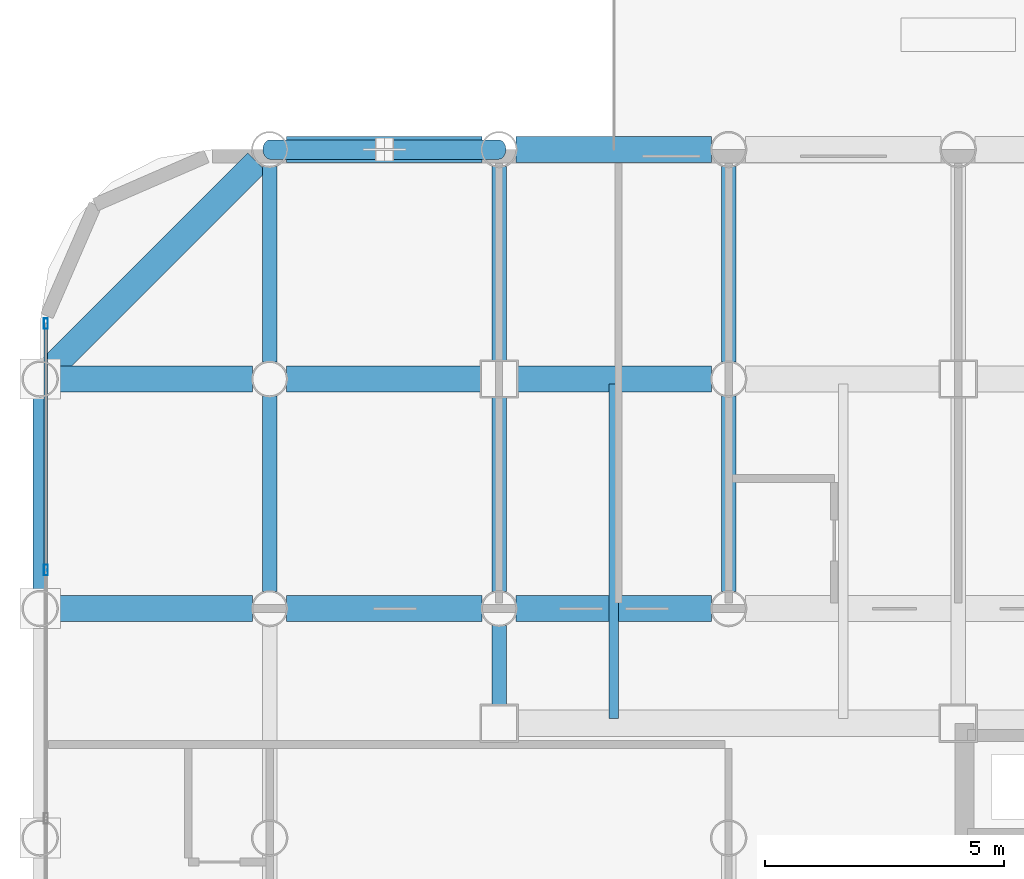
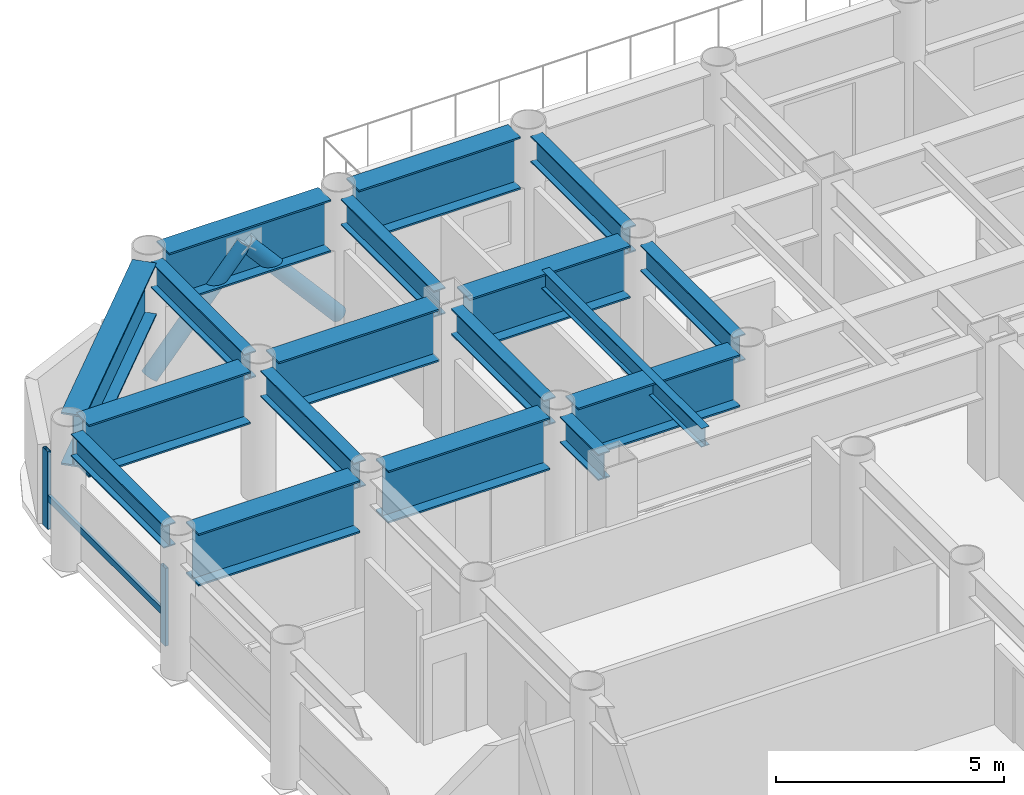
# One storey, part 9 of 24: 18 beams, 5 members, 1 element without a shape of its own.
"""IFC4 building model written with IfcOpenShell, lengths in metres."""

from ifc_helpers import new_model, si_unit, direction, frame, origin, origin_2d, place, context, subcontext, project, spatial, hollow_rectangle, hollow_circle, i_section, extrude, material, layer, layer_set, material_profile, profile_set, type_object, element, aggregate, save


model = new_model("IFC4")

# Units and contexts
model_context = context("Model", 3, precision=1e-05, world=origin(), true_north=direction((0.0, 1.0)))
body_context = subcontext(model_context, "Body", "Model", "MODEL_VIEW")
ifc_project = project(units=[si_unit("LENGTHUNIT", "METRE"), si_unit("AREAUNIT", "SQUARE_METRE"), si_unit("VOLUMEUNIT", "CUBIC_METRE"), si_unit("PLANEANGLEUNIT", "RADIAN"), si_unit("MASSUNIT", "GRAM", prefix="KILO")], contexts=[model_context])

# Site, building, storey
site_placement = place(None, origin())
site = spatial("IfcSite", under=ifc_project, at=site_placement, CompositionType="ELEMENT")
building_placement = place(site_placement, origin())
building = spatial("IfcBuilding", under=site, at=building_placement, Name="Kallvorn Hotel Tower", CompositionType="ELEMENT")
storey_placement = place(building_placement, frame((0.0, 0.0, 30.0)))
storey = spatial("IfcBuildingStorey", under=building, at=storey_placement, Name="L05", CompositionType="ELEMENT", Elevation=30.0)

# Beams
ifc_material_1 = material(Name="Structural steel S355JR", Category="steel")
ifc_material_profile_1 = material_profile(ifc_material_1, i_section(OverallWidth=0.300048828125, OverallDepth=0.60009765625, WebThickness=0.015380859375, FlangeThickness=0.030029296875, at=origin_2d()), Name="HE 600 B")
ifc_profile_set_1 = profile_set([ifc_material_profile_1], Name="Structural steel S355JR")
beam_type_1 = type_object("IfcBeamType", Name="BM_HE600B", PredefinedType="SPANDREL", material=ifc_profile_set_1)
beam_1_placement = place(storey_placement, frame((-33.60009765625, 9.970947265625, 3.219970703125), z_axis=(0.0, 1.0, 0.0), x_axis=(-1.0, 0.0, 0.0)))
element("IfcBeam", 1, at=beam_1_placement, inside=storey, type_object=beam_type_1, Name="L06 Perimeter Spandrel 180", PredefinedType="SPANDREL", context=body_context, shape_type="SweptSolid", body=[
    extrude(i_section(OverallWidth=0.300048828125, OverallDepth=0.60009765625, WebThickness=0.015380859375, FlangeThickness=0.030029296875, at=origin_2d()), origin(), (0.0, 0.0, 1.0), 4.05810546875),
])
ifc_material_2 = material(Name="Structural steel S355JR", Category="steel")
ifc_material_profile_2 = material_profile(ifc_material_2, i_section(OverallWidth=0.300048828125, OverallDepth=0.699951171875, WebThickness=0.01708984375, FlangeThickness=0.031982421875, at=origin_2d()), Name="HE 700 B")
ifc_profile_set_2 = profile_set([ifc_material_profile_2], Name="Structural steel S355JR")
beam_type_2 = type_object("IfcBeamType", Name="BM_HE700B", PredefinedType="BEAM", material=ifc_profile_set_2)
for number, where, z_axis, x_axis, name in (
    (2, (-28.800048828125, 9.9560546875, 3.169921875), (0.0, 1.0, 0.0), (-1.0, 0.0, 0.0), "L06 Primary Y-Girder 80"),
    (3, (-28.800048828125, 14.756103515625, 3.169921875), (0.0, 1.0, 0.0), (-1.0, 0.0, 0.0), "L06 Primary Y-Girder 81"),
):
    element("IfcBeam", number, at=place(storey_placement, frame(where, z_axis=z_axis, x_axis=x_axis)), inside=storey, type_object=beam_type_2, Name=name, PredefinedType="BEAM", context=body_context, shape_type="SweptSolid", body=[
        extrude(i_section(OverallWidth=0.300048828125, OverallDepth=0.699951171875, WebThickness=0.01708984375, FlangeThickness=0.031982421875, at=origin_2d()), origin(), (0.0, 0.0, 1.0), 4.087890625),
    ])
beam_2_placement = place(storey_placement, frame((-24.0, 7.574951171875, 3.169921875), z_axis=(0.0, 1.0, 0.0), x_axis=(-1.0, 0.0, 0.0)))
element("IfcBeam", 4, at=beam_2_placement, inside=storey, type_object=beam_type_2, Name="L06 Primary Y-Girder 86", PredefinedType="BEAM", context=body_context, shape_type="SweptSolid", body=[
    extrude(i_section(OverallWidth=0.300048828125, OverallDepth=0.699951171875, WebThickness=0.01708984375, FlangeThickness=0.031982421875, at=origin_2d()), origin(), (0.0, 0.0, 1.0), 1.6689453125),
])
beam_3_placement = place(storey_placement, frame((-24.0, 9.9560546875, 3.169921875), z_axis=(0.0, 1.0, 0.0), x_axis=(-1.0, 0.0, 0.0)))
element("IfcBeam", 5, at=beam_3_placement, inside=storey, type_object=beam_type_2, Name="L06 Primary Y-Girder 87", PredefinedType="BEAM", context=body_context, shape_type="SweptSolid", body=[
    extrude(i_section(OverallWidth=0.300048828125, OverallDepth=0.699951171875, WebThickness=0.01708984375, FlangeThickness=0.031982421875, at=origin_2d()), origin(), (0.0, 0.0, 1.0), 4.06884765625),
])
beam_4_placement = place(storey_placement, frame((-24.0, 14.77490234375, 3.169921875), z_axis=(0.0, 1.0, 0.0), x_axis=(-1.0, 0.0, 0.0)))
element("IfcBeam", 6, at=beam_4_placement, inside=storey, type_object=beam_type_2, Name="L06 Primary Y-Girder 88", PredefinedType="BEAM", context=body_context, shape_type="SweptSolid", body=[
    extrude(i_section(OverallWidth=0.300048828125, OverallDepth=0.699951171875, WebThickness=0.01708984375, FlangeThickness=0.031982421875, at=origin_2d()), origin(), (0.0, 0.0, 1.0), 4.069091796875),
])
for number, where, z_axis, x_axis, name in (
    (7, (-19.199951171875, 9.9560546875, 3.169921875), (0.0, 1.0, 0.0), (-1.0, 0.0, 0.0), "L06 Primary Y-Girder 96"),
    (8, (-19.199951171875, 14.756103515625, 3.169921875), (0.0, 1.0, 0.0), (-1.0, 0.0, 0.0), "L06 Primary Y-Girder 97"),
):
    element("IfcBeam", number, at=place(storey_placement, frame(where, z_axis=z_axis, x_axis=x_axis)), inside=storey, type_object=beam_type_2, Name=name, PredefinedType="BEAM", context=body_context, shape_type="SweptSolid", body=[
        extrude(i_section(OverallWidth=0.300048828125, OverallDepth=0.699951171875, WebThickness=0.01708984375, FlangeThickness=0.031982421875, at=origin_2d()), origin(), (0.0, 0.0, 1.0), 4.087890625),
    ])
ifc_material_3 = material(Name="Structural steel S355JR", Category="steel")
ifc_material_profile_3 = material_profile(ifc_material_3, i_section(OverallWidth=0.199951171875, OverallDepth=0.5, WebThickness=0.01025390625, FlangeThickness=0.01611328125, at=origin_2d()), Name="IPE 500")
ifc_profile_set_3 = profile_set([ifc_material_profile_3], Name="Structural steel S355JR")
beam_type_3 = type_object("IfcBeamType", Name="BM_IPE500", PredefinedType="JOIST", material=ifc_profile_set_3)
beam_5_placement = place(storey_placement, frame((-21.60009765625, 7.300048828125, 3.27001953125), z_axis=(0.0, 1.0, 0.0), x_axis=(-1.0, 0.0, 0.0)))
element("IfcBeam", 9, at=beam_5_placement, inside=storey, type_object=beam_type_3, Name="L06 Secondary Composite Joist 193", PredefinedType="JOIST", context=body_context, shape_type="SweptSolid", body=[
    extrude(i_section(OverallWidth=0.199951171875, OverallDepth=0.5, WebThickness=0.01025390625, FlangeThickness=0.01611328125, at=origin_2d()), origin(), (0.0, 0.0, 1.0), 7.0),
])
ifc_material_4 = material(Name="Structural steel S355JR", Category="steel")
ifc_material_profile_4 = material_profile(ifc_material_4, i_section(OverallWidth=0.550048828125, OverallDepth=1.39990234375, WebThickness=0.02490234375, FlangeThickness=0.044921875, at=origin_2d()), Name="PG 1400x550x25x45")
ifc_profile_set_4 = profile_set([ifc_material_profile_4], Name="Structural steel S355JR")
beam_type_4 = type_object("IfcBeamType", Name="BM_PG_1400", PredefinedType="BEAM", material=ifc_profile_set_4)
beam_6_placement = place(storey_placement, frame((-33.243896484375, 9.60009765625, 2.820068359375), z_axis=(1.0, 0.0, 0.0), x_axis=(0.0, 1.0, 0.0)))
element("IfcBeam", 10, at=beam_6_placement, inside=storey, type_object=beam_type_4, Name="L06 Primary X-Girder 42", PredefinedType="BEAM", context=body_context, shape_type="SweptSolid", body=[
    extrude(i_section(OverallWidth=0.550048828125, OverallDepth=1.39990234375, WebThickness=0.02490234375, FlangeThickness=0.044921875, at=origin_2d()), origin(), (0.0, 0.0, 1.0), 4.087890625),
])
for number, where, z_axis, x_axis, name in (
    (11, (-28.444091796875, 9.60009765625, 2.820068359375), (1.0, 0.0, 0.0), (0.0, 1.0, 0.0), "L06 Primary X-Girder 43"),
    (12, (-23.64404296875, 9.60009765625, 2.820068359375), (1.0, 0.0, 0.0), (0.0, 1.0, 0.0), "L06 Primary X-Girder 44"),
):
    element("IfcBeam", number, at=place(storey_placement, frame(where, z_axis=z_axis, x_axis=x_axis)), inside=storey, type_object=beam_type_4, Name=name, PredefinedType="BEAM", context=body_context, shape_type="SweptSolid", body=[
        extrude(i_section(OverallWidth=0.550048828125, OverallDepth=1.39990234375, WebThickness=0.02490234375, FlangeThickness=0.044921875, at=origin_2d()), origin(), (0.0, 0.0, 1.0), 4.088134765625),
    ])
beam_7_placement = place(storey_placement, frame((-33.243896484375, 14.39990234375, 2.820068359375), z_axis=(1.0, 0.0, 0.0), x_axis=(0.0, 1.0, 0.0)))
element("IfcBeam", 13, at=beam_7_placement, inside=storey, type_object=beam_type_4, Name="L06 Primary X-Girder 51", PredefinedType="BEAM", context=body_context, shape_type="SweptSolid", body=[
    extrude(i_section(OverallWidth=0.550048828125, OverallDepth=1.39990234375, WebThickness=0.02490234375, FlangeThickness=0.044921875, at=origin_2d()), origin(), (0.0, 0.0, 1.0), 4.087890625),
])
for number, where, z_axis, x_axis, name in (
    (14, (-28.444091796875, 14.39990234375, 2.820068359375), (1.0, 0.0, 0.0), (0.0, 1.0, 0.0), "L06 Primary X-Girder 52"),
    (15, (-23.625, 14.39990234375, 2.820068359375), (1.0, 0.0, 0.0), (0.0, 1.0, 0.0), "L06 Primary X-Girder 53"),
):
    element("IfcBeam", number, at=place(storey_placement, frame(where, z_axis=z_axis, x_axis=x_axis)), inside=storey, type_object=beam_type_4, Name=name, PredefinedType="BEAM", context=body_context, shape_type="SweptSolid", body=[
        extrude(i_section(OverallWidth=0.550048828125, OverallDepth=1.39990234375, WebThickness=0.02490234375, FlangeThickness=0.044921875, at=origin_2d()), origin(), (0.0, 0.0, 1.0), 4.069091796875),
    ])
for number, where, z_axis, x_axis, name in (
    (16, (-28.444091796875, 19.199951171875, 2.820068359375), (1.0, 0.0, 0.0), (0.0, 1.0, 0.0), "L06 Primary X-Girder 61"),
    (17, (-23.64404296875, 19.199951171875, 2.820068359375), (1.0, 0.0, 0.0), (0.0, 1.0, 0.0), "L06 Primary X-Girder 62"),
):
    element("IfcBeam", number, at=place(storey_placement, frame(where, z_axis=z_axis, x_axis=x_axis)), inside=storey, type_object=beam_type_4, Name=name, PredefinedType="BEAM", context=body_context, shape_type="SweptSolid", body=[
        extrude(i_section(OverallWidth=0.550048828125, OverallDepth=1.39990234375, WebThickness=0.02490234375, FlangeThickness=0.044921875, at=origin_2d()), origin(), (0.0, 0.0, 1.0), 4.088134765625),
    ])
beam_8_placement = place(storey_placement, frame((-33.337646484375, 14.662353515625, 2.820068359375), z_axis=(0.707106781187, 0.707106781187, 0.0), x_axis=(-0.707106781187, 0.707106781187, 0.0)))
element("IfcBeam", 18, at=beam_8_placement, inside=storey, type_object=beam_type_4, Name="L06 Rounded Corner Tie Beam 190", PredefinedType="BEAM", context=body_context, shape_type="SweptSolid", body=[
    extrude(i_section(OverallWidth=0.550048828125, OverallDepth=1.39990234375, WebThickness=0.02490234375, FlangeThickness=0.044921875, at=origin_2d()), origin(), (0.0, 0.0, 1.0), 6.04638671875),
])

# Curtain wall, members
ifc_material_5 = material(Name="Thermally broken black-anodised aluminium AA 6063-T6", Category="aluminium")
ifc_layer = layer(ifc_material_5, 0.199951171875)
ifc_layer_set = layer_set([ifc_layer], Name="CW_SYS_3_HOTEL_LOW")
curtain_wall_type = type_object("IfcCurtainWallType", Name="CW_SYS_3_HOTEL_LOW", PredefinedType="USERDEFINED", material=ifc_layer_set)
curtain_wall_placement = place(storey_placement, origin())
curtain_wall = element("IfcCurtainWall", 19, at=curtain_wall_placement, inside=storey, type_object=curtain_wall_type, Name="L05 Dark-Glass Curtain Wall CW-L05-WN", ObjectType="UNITISED CURTAIN WALL", PredefinedType="USERDEFINED")
ifc_material_6 = material(Name="Thermally broken black-anodised aluminium AA 6063-T6", Category="aluminium")
ifc_material_profile_5 = material_profile(ifc_material_6, hollow_rectangle(XDim=0.080078125, YDim=0.219970703125, WallThickness=0.0048828125, at=origin_2d()), Name="MUL 220x80")
ifc_profile_set_5 = profile_set([ifc_material_profile_5], Name="Thermally broken black-anodised aluminium AA 6063-T6")
member_type_1 = type_object("IfcMemberType", Name="CW_MULLION_220x80", PredefinedType="MULLION", material=ifc_profile_set_5)
member_1_placement = place(storey_placement, frame((-33.47998046875, 10.40673828125, 0.02001953125), z_axis=(0.0, 0.0, 1.0), x_axis=(1.0, 0.0, 0.0)))
member_1 = element("IfcMember", 20, at=member_1_placement, type_object=member_type_1, Name="CW-L05-WN Mullion 02", PredefinedType="MULLION", context=body_context, shape_type="SweptSolid", body=[
    extrude(hollow_rectangle(XDim=0.080078125, YDim=0.219970703125, WallThickness=0.0048828125, at=origin_2d()), origin(), (0.0, 0.0, 1.0), 2.080078125),
])
member_2_placement = place(storey_placement, frame((-33.47998046875, 15.56005859375, 0.02001953125), z_axis=(0.0, 0.0, 1.0), x_axis=(1.0, 0.0, 0.0)))
member_2 = element("IfcMember", 21, at=member_2_placement, type_object=member_type_1, Name="CW-L05-WN Mullion 03", PredefinedType="MULLION", context=body_context, shape_type="SweptSolid", body=[
    extrude(hollow_rectangle(XDim=0.080078125, YDim=0.219970703125, WallThickness=0.0048828125, at=origin_2d()), origin(), (0.0, 0.0, 1.0), 2.080078125),
])
ifc_material_7 = material(Name="Thermally broken black-anodised aluminium AA 6063-T6", Category="aluminium")
ifc_material_profile_6 = material_profile(ifc_material_7, hollow_rectangle(XDim=0.070068359375, YDim=0.179931640625, WallThickness=0.00390625, at=origin_2d()), Name="TRN 180x70")
ifc_profile_set_6 = profile_set([ifc_material_profile_6], Name="Thermally broken black-anodised aluminium AA 6063-T6")
member_type_2 = type_object("IfcMemberType", Name="CW_TRANSOM_180x70", PredefinedType="USERDEFINED", material=ifc_profile_set_6)
member_3_placement = place(storey_placement, frame((-33.47998046875, 10.44677734375, 0.85009765625), z_axis=(0.0, 1.0, 0.0), x_axis=(-1.0, 0.0, 0.0)))
member_3 = element("IfcMember", 22, at=member_3_placement, type_object=member_type_2, Name="CW-L05-WN Transom 02M", ObjectType="TRANSOM", PredefinedType="USERDEFINED", context=body_context, shape_type="SweptSolid", body=[
    extrude(hollow_rectangle(XDim=0.070068359375, YDim=0.179931640625, WallThickness=0.00390625, at=origin_2d()), origin(), (0.0, 0.0, 1.0), 5.11328125),
])
aggregate(curtain_wall, [member_1, member_2, member_3])

# Members
ifc_material_8 = material(Name="Structural steel S355J2H", Category="steel")
ifc_material_profile_7 = material_profile(ifc_material_8, hollow_circle(Radius=0.203125, WallThickness=0.01611328125, at=origin_2d()), Name="CHS 406.4x16")
ifc_profile_set_7 = profile_set([ifc_material_profile_7], Name="Structural steel S355J2H")
member_type_3 = type_object("IfcMemberType", Name="MBR_EXO_CHS406", PredefinedType="BRACE", material=ifc_profile_set_7)
for number, where, z_axis, x_axis, name in (
    (23, (-28.786865234375, 19.199951171875, 0.195068359375), (0.65346062529, 0.0, 0.756960508346), (0.0, 1.0, 0.0), "L05 Exoskeleton K-Brace N1A"),
    (24, (-24.01318359375, 19.199951171875, 0.195068359375), (-0.65346062529, 0.0, 0.756960508346), (0.0, -1.0, 0.0), "L05 Exoskeleton K-Brace N1B"),
):
    element("IfcMember", number, at=place(storey_placement, frame(where, z_axis=z_axis, x_axis=x_axis)), inside=storey, type_object=member_type_3, Name=name, PredefinedType="BRACE", context=body_context, shape_type="SweptSolid", body=[
        extrude(hollow_circle(Radius=0.203125, WallThickness=0.01611328125, at=origin_2d()), origin(), (0.0, 0.0, 1.0), 3.632568359375),
    ])

save(model, "model.ifc")
